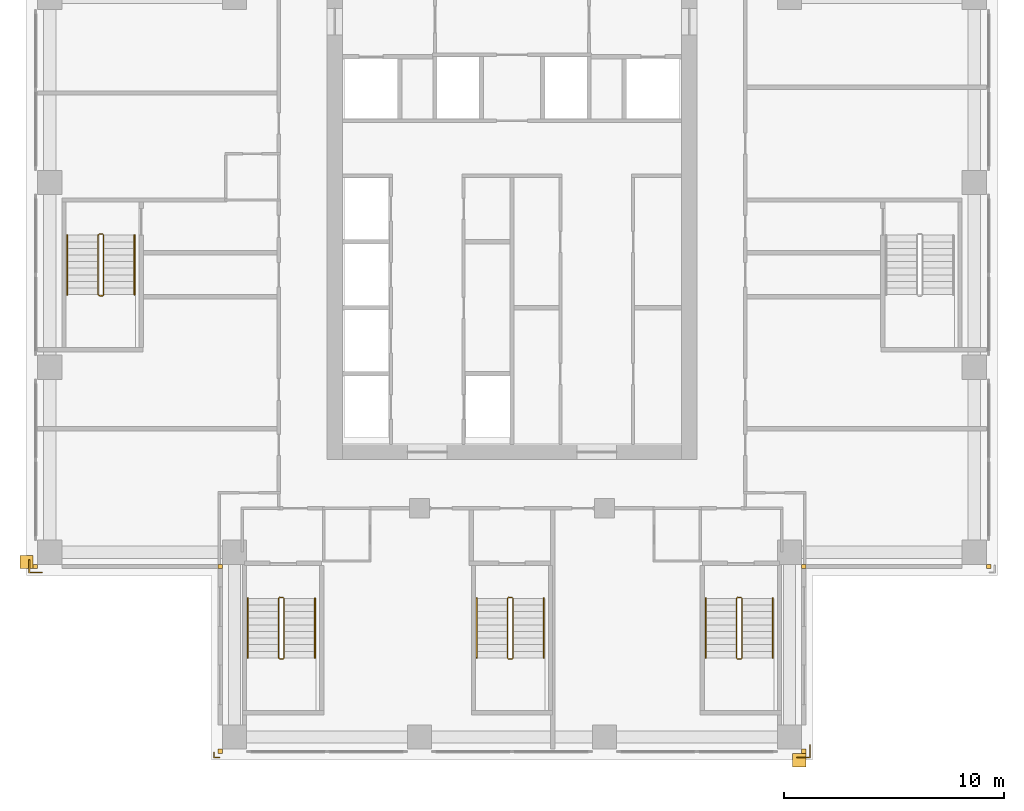
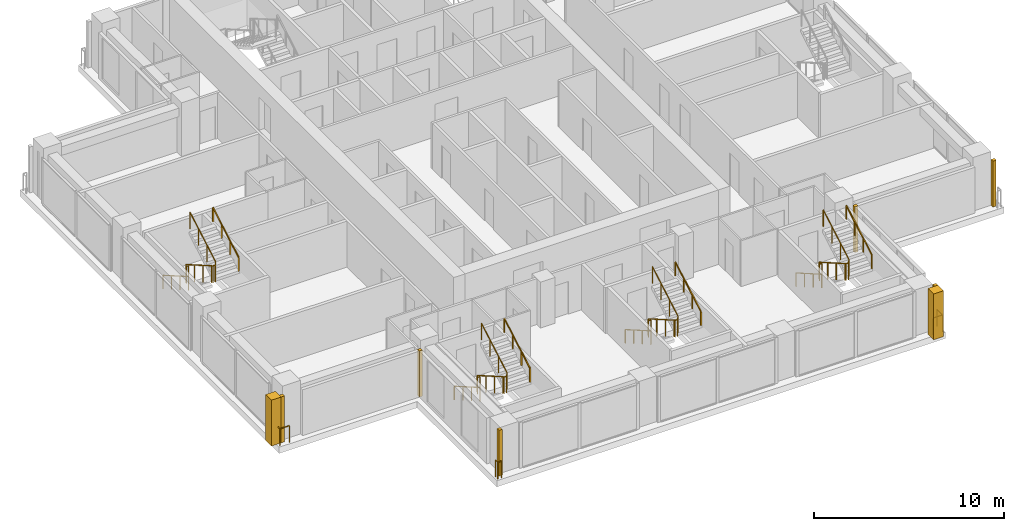
# One storey, part 14 of 16: 15 railings, 8 coverings.
"""IFC4 building model written with IfcOpenShell, lengths in metres."""

import ifcopenshell
import ifcopenshell.guid

model = None  # the IFC model being written
_history = None  # IfcOwnerHistory: only IFC2X3 demands one
_inside = {}  # id of a spatial element -> (the spatial element, [elements in it])
_under = {}  # id of a project, library or spatial element -> (it, [spatial elements below it])
_declared = {}  # id of a project -> (the project, [libraries it declares])
_typed = {}  # id of a type object -> (the type object, [elements of that type])
_made_of = {}  # id of a material, layer set ... -> (it, [elements and type objects made of it])


def new_model(schema):
    """Start an empty IFC model of exactly this schema.

    Asked for "IFC4X3", IfcOpenShell would pick the latest addendum, in which some entities
    have other attributes; the version numbers below select the first issue.
    IFC2X3 requires an IfcOwnerHistory on every rooted entity: one is made here for all.
    """
    global model, _history
    if schema == "IFC4X3":
        model = ifcopenshell.file(schema_version=(4, 3, 0, 0))
    else:
        model = ifcopenshell.file(schema=schema)
    _inside.clear()
    _under.clear()
    _declared.clear()
    _typed.clear()
    _made_of.clear()
    _history = None
    if model.schema == "IFC2X3":
        org = make("IfcOrganization", Name="unknown")
        user = make(
            "IfcPersonAndOrganization",
            ThePerson=make("IfcPerson", FamilyName="unknown"),
            TheOrganization=org,
        )
        app = make(
            "IfcApplication",
            ApplicationDeveloper=org,
            Version="unknown",
            ApplicationFullName="unknown",
            ApplicationIdentifier="unknown",
        )
        _history = make(
            "IfcOwnerHistory",
            OwningUser=user,
            OwningApplication=app,
            ChangeAction="ADDED",
            CreationDate=0,
        )
    return model


def make(cls, **values):
    """One entity of the class cls with the attributes given. An attribute that is None is left unset."""
    return model.create_entity(
        cls, **{name: value for name, value in values.items() if value is not None}
    )


def rooted(cls, **values):
    """An entity with a GlobalId (a new one), such as an element, a storey or a relation."""
    return make(cls, GlobalId=ifcopenshell.guid.new(), OwnerHistory=_history, **values)


def si_unit(unit_type, name, prefix=None):
    """IfcSIUnit, for example si_unit("LENGTHUNIT", "METRE", prefix="MILLI")."""
    return make("IfcSIUnit", UnitType=unit_type, Prefix=prefix, Name=name)


def assignment(units):
    """IfcUnitAssignment: the units of a project."""
    return None if units is None else make("IfcUnitAssignment", Units=units)


def point(xyz):
    """IfcCartesianPoint."""
    return None if xyz is None else make("IfcCartesianPoint", Coordinates=xyz)


def direction(xyz):
    """IfcDirection."""
    return None if xyz is None else make("IfcDirection", DirectionRatios=xyz)


def frame(location, z_axis=None, x_axis=None):
    """IfcAxis2Placement3D, a coordinate frame: its origin and axes. An axis left out is left unset."""
    return make(
        "IfcAxis2Placement3D",
        Location=point(location),
        Axis=direction(z_axis),
        RefDirection=direction(x_axis),
    )


def frame_2d(location, x_axis=None):
    """IfcAxis2Placement2D, a coordinate frame in the plane: its origin and x axis."""
    return make(
        "IfcAxis2Placement2D", Location=point(location), RefDirection=direction(x_axis)
    )


def origin():
    """The frame at (0, 0, 0) with its axes left unset."""
    return frame((0.0, 0.0, 0.0))


def origin_2d():
    """The frame at (0, 0) in the plane with its x axis left unset."""
    return frame_2d((0.0, 0.0))


def place(relative_to, where):
    """IfcLocalPlacement: puts the frame where relative to a parent placement (None: the world)."""
    return make(
        "IfcLocalPlacement", PlacementRelTo=relative_to, RelativePlacement=where
    )


def context(
    kind, dimensions, precision=None, world=None, true_north=None, identifier=None
):
    """IfcGeometricRepresentationContext, for example the 3D "Model" context."""
    return make(
        "IfcGeometricRepresentationContext",
        ContextIdentifier=identifier,
        ContextType=kind,
        CoordinateSpaceDimension=dimensions,
        Precision=precision,
        WorldCoordinateSystem=world,
        TrueNorth=true_north,
    )


def subcontext(parent, identifier, kind, view, scale=None):
    """IfcGeometricRepresentationSubContext, for example "Body" below "Model"."""
    return make(
        "IfcGeometricRepresentationSubContext",
        ContextIdentifier=identifier,
        ContextType=kind,
        ParentContext=parent,
        TargetScale=scale,
        TargetView=view,
    )


def project(units=None, contexts=None):
    """IfcProject with its units and contexts."""
    return rooted(
        "IfcProject",
        Name="project",
        RepresentationContexts=contexts,
        UnitsInContext=assignment(units),
    )


def spatial(cls, under=None, at=None, **own):
    """A site, building, storey or space (cls), placed at a placement, below another one or the project."""
    s = rooted(cls, ObjectPlacement=at, **own)
    if under is not None:
        _under.setdefault(under.id(), (under, []))[1].append(s)
    return s


def polyline(points):
    """IfcPolyline through the points."""
    return make("IfcPolyline", Points=[point(p) for p in points])


def profile(cls, at=None, kind="AREA", **sizes):
    """A parametric profile (cls). Its sizes go by their IFC names, for example OverallWidth=200.0."""
    return make(cls, ProfileType=kind, Position=at, **sizes)


def rectangle(**sizes):
    """IfcRectangleProfileDef."""
    return profile("IfcRectangleProfileDef", **sizes)


def outline(outer, holes=None, kind="AREA"):
    """IfcArbitraryClosedProfileDef: a profile drawn as a closed curve; with holes, ...WithVoids."""
    if holes is None:
        return make("IfcArbitraryClosedProfileDef", ProfileType=kind, OuterCurve=outer)
    return make(
        "IfcArbitraryProfileDefWithVoids",
        ProfileType=kind,
        OuterCurve=outer,
        InnerCurves=holes,
    )


def extrude(swept, where, along, depth):
    """IfcExtrudedAreaSolid: the profile swept, set in the frame where, extruded along a direction by depth."""
    return make(
        "IfcExtrudedAreaSolid",
        SweptArea=swept,
        Position=where,
        ExtrudedDirection=direction(along),
        Depth=depth,
    )


def shape(context_of_items, identifier, shape_type, items):
    """IfcShapeRepresentation: the items that make up one representation, for example the "Body"."""
    return make(
        "IfcShapeRepresentation",
        ContextOfItems=context_of_items,
        RepresentationIdentifier=identifier,
        RepresentationType=shape_type,
        Items=items,
    )


def material(Name=None, Category=None):
    """IfcMaterial."""
    return make("IfcMaterial", Name=Name, Category=Category)


def made_of(thing, what):
    """Note that an element or type object is made of a material, layer set ...; save() writes the relation."""
    if what is not None:
        _made_of.setdefault(what.id(), (what, []))[1].append(thing)
    return thing


def type_object(cls, material=None, **own):
    """A type object (cls), such as IfcWallType, which elements share."""
    return made_of(rooted(cls, **own), material)


def element(
    cls,
    number,
    at=None,
    inside=None,
    cuts=None,
    type_object=None,
    material=None,
    context=None,
    identifier="Body",
    shape_type=None,
    held_by="IfcProductDefinitionShape",
    body=None,
    shapes=None,
    **own,
):
    """One element of the class cls, such as IfcWall. Its Tag is "e" and its number.

    at: its placement. inside: the storey or other place that contains it. cuts: it is an
    opening in that element (IfcRelVoidsElement). A single representation is given by context,
    identifier, shape_type and body (its items); several are given by shapes. held_by: the class
    of the entity that holds the representations. save() writes the other relations.
    """
    e = rooted(cls, Tag="e%d" % number, ObjectPlacement=at, **own)
    if body is not None:
        shapes = [shape(context, identifier, shape_type, body)]
    if shapes is not None:
        e.Representation = make(held_by, Representations=shapes)
    if inside is not None:
        _inside.setdefault(inside.id(), (inside, []))[1].append(e)
    if cuts is not None:
        rooted(
            "IfcRelVoidsElement", RelatingBuildingElement=cuts, RelatedOpeningElement=e
        )
    if type_object is not None:
        _typed.setdefault(type_object.id(), (type_object, []))[1].append(e)
    return made_of(e, material)


def aggregate(whole, parts):
    """IfcRelAggregates: a whole, such as a stair, and the parts it consists of."""
    return rooted("IfcRelAggregates", RelatingObject=whole, RelatedObjects=parts)


def save(model, path):
    """Write the relations noted so far, then the file.

    IfcRelAggregates (storeys below a building ...), IfcRelContainedInSpatialStructure (elements
    in a storey), IfcRelDefinesByType, IfcRelAssociatesMaterial and IfcRelDeclares: one each for
    every whole, place, type object, material and project.
    """
    for whole, parts in _under.values():
        aggregate(whole, parts)
    for where, things in _inside.values():
        rooted(
            "IfcRelContainedInSpatialStructure",
            RelatedElements=things,
            RelatingStructure=where,
        )
    for kind, things in _typed.values():
        rooted("IfcRelDefinesByType", RelatedObjects=things, RelatingType=kind)
    for what, things in _made_of.values():
        rooted("IfcRelAssociatesMaterial", RelatedObjects=things, RelatingMaterial=what)
    for by, libraries in _declared.values():
        rooted("IfcRelDeclares", RelatingContext=by, RelatedDefinitions=libraries)
    model.write(path)


model = new_model("IFC4")

# Units and contexts
model_context = context("Model", 3, precision=1e-05, world=origin(), true_north=direction((0.0, 1.0)))
body_context = subcontext(model_context, "Body", "Model", "MODEL_VIEW")
ifc_project = project(units=[si_unit("LENGTHUNIT", "METRE"), si_unit("AREAUNIT", "SQUARE_METRE"), si_unit("VOLUMEUNIT", "CUBIC_METRE"), si_unit("PLANEANGLEUNIT", "RADIAN"), si_unit("MASSUNIT", "GRAM", prefix="KILO")], contexts=[model_context])

# Site, building, storey
site_placement = place(None, origin())
site = spatial("IfcSite", under=ifc_project, at=site_placement, CompositionType="ELEMENT")
building_placement = place(site_placement, origin())
building = spatial("IfcBuilding", under=site, at=building_placement, Name="Vermilion Ogive Tower", CompositionType="ELEMENT")
storey_placement = place(building_placement, frame((0.0, 0.0, 167.60009765625)))
storey = spatial("IfcBuildingStorey", under=building, at=storey_placement, Name="L43", CompositionType="ELEMENT", Elevation=167.60009765625)

# Railings
ifc_material_1 = material(Name="Stainless steel", Category="steel")
railing_type_1 = type_object("IfcRailingType", Name="Slab edge guard SG1", PredefinedType="GUARDRAIL", material=ifc_material_1)
railing_1_placement = place(storey_placement, frame((-13.300048828125, -21.929931640625, 0.0)))
element("IfcRailing", 1, at=railing_1_placement, inside=storey, type_object=railing_type_1, Name="L43 slab corner guard", PredefinedType="GUARDRAIL", context=body_context, shape_type="SweptSolid", body=[
    extrude(rectangle(XDim=0.050048828125, YDim=0.050048828125, at=origin_2d()), frame((0.0, 0.0, 1.0751953125), z_axis=(-1.0, 0.0, 0.0), x_axis=(0.0, -1.0, 0.0)), (0.0, 0.0, 1.0), 0.22998046875),
    extrude(rectangle(XDim=0.050048828125, YDim=0.050048828125, at=origin_2d()), frame((-0.22998046875, 0.0, 1.0751953125), z_axis=(0.0, 1.0, 0.0), x_axis=(-1.0, 0.0, 0.0)), (0.0, 0.0, 1.0), 0.22998046875),
    extrude(rectangle(XDim=0.050048828125, YDim=0.050048828125, at=origin_2d()), origin(), (0.0, 0.0, 1.0), 1.050048828125),
    extrude(rectangle(XDim=0.050048828125, YDim=0.050048828125, at=origin_2d()), frame((-0.22998046875, 0.0, 0.0)), (0.0, 0.0, 1.0), 1.050048828125),
    extrude(rectangle(XDim=0.050048828125, YDim=0.050048828125, at=origin_2d()), frame((-0.22998046875, 0.22998046875, 0.0)), (0.0, 0.0, 1.0), 1.050048828125),
])
railing_2_placement = place(storey_placement, frame((12.949951171875, -21.929931640625, 0.0)))
element("IfcRailing", 2, at=railing_2_placement, inside=storey, type_object=railing_type_1, Name="L43 slab corner guard", PredefinedType="GUARDRAIL", context=body_context, shape_type="SweptSolid", body=[
    extrude(rectangle(XDim=0.050048828125, YDim=0.050048828125, at=origin_2d()), frame((0.0, 0.0, 1.0751953125), z_axis=(1.0, 0.0, 0.0), x_axis=(0.0, 1.0, 0.0)), (0.0, 0.0, 1.0), 0.580078125),
    extrude(rectangle(XDim=0.050048828125, YDim=0.050048828125, at=origin_2d()), frame((0.580078125, 0.0, 1.0751953125), z_axis=(0.0, 1.0, 0.0), x_axis=(-1.0, 0.0, 0.0)), (0.0, 0.0, 1.0), 0.579833984375),
    extrude(rectangle(XDim=0.050048828125, YDim=0.050048828125, at=origin_2d()), origin(), (0.0, 0.0, 1.0), 1.050048828125),
    extrude(rectangle(XDim=0.050048828125, YDim=0.050048828125, at=origin_2d()), frame((0.580078125, 0.0, 0.0)), (0.0, 0.0, 1.0), 1.050048828125),
    extrude(rectangle(XDim=0.050048828125, YDim=0.050048828125, at=origin_2d()), frame((0.580078125, 0.579833984375, 0.0)), (0.0, 0.0, 1.0), 1.050048828125),
])
railing_3_placement = place(storey_placement, frame((-21.929931640625, -12.949951171875, 0.0)))
element("IfcRailing", 3, at=railing_3_placement, inside=storey, type_object=railing_type_1, Name="L43 slab corner guard", PredefinedType="GUARDRAIL", context=body_context, shape_type="SweptSolid", body=[
    extrude(rectangle(XDim=0.050048828125, YDim=0.050048828125, at=origin_2d()), frame((0.0, 0.0, 1.0751953125), z_axis=(0.0, -1.0, 0.0), x_axis=(1.0, 0.0, 0.0)), (0.0, 0.0, 1.0), 0.580078125),
    extrude(rectangle(XDim=0.050048828125, YDim=0.050048828125, at=origin_2d()), frame((0.0, -0.580078125, 1.0751953125), z_axis=(1.0, 0.0, 0.0), x_axis=(0.0, 1.0, 0.0)), (0.0, 0.0, 1.0), 0.579833984375),
    extrude(rectangle(XDim=0.050048828125, YDim=0.050048828125, at=origin_2d()), origin(), (0.0, 0.0, 1.0), 1.050048828125),
    extrude(rectangle(XDim=0.050048828125, YDim=0.050048828125, at=origin_2d()), frame((0.0, -0.580078125, 0.0)), (0.0, 0.0, 1.0), 1.050048828125),
    extrude(rectangle(XDim=0.050048828125, YDim=0.050048828125, at=origin_2d()), frame((0.579833984375, -0.580078125, 0.0)), (0.0, 0.0, 1.0), 1.050048828125),
])
ifc_material_2 = material(Name="Steel S355 painted", Category="steel")
railing_type_2 = type_object("IfcRailingType", Name="Stair guard 1100", PredefinedType="GUARDRAIL", material=ifc_material_2)
railing_4_placement = place(storey_placement, frame((-10.39990234375, -14.64990234375, 0.0)))
element("IfcRailing", 4, at=railing_4_placement, inside=storey, type_object=railing_type_2, Name="L43 ST3 stair guard 4", PredefinedType="GUARDRAIL", context=body_context, shape_type="SweptSolid", body=[
    extrude(rectangle(XDim=0.048095703125, YDim=0.048095703125, at=origin_2d()), frame((0.0, 0.0, 1.076171875), z_axis=(-1.0, 0.0, 0.0), x_axis=(0.0, -1.0, 0.0)), (0.0, 0.0, 1.0), 0.150146484375),
    extrude(rectangle(XDim=0.048095703125, YDim=0.048095703125, at=origin_2d()), frame((-0.150146484375, 0.0, 1.076171875), z_axis=(-0.268603158521, -0.268603158521, 0.925043072762), x_axis=(0.707106781187, -0.707106781187, 0.0)), (0.0, 0.0, 1.0), 0.186279296875),
    extrude(rectangle(XDim=0.048095703125, YDim=0.048095703125, at=origin_2d()), frame((-0.2001953125, -0.050048828125, 1.24853515625), z_axis=(0.0, -0.866903762492, 0.498475542607), x_axis=(1.0, 0.0, 0.0)), (0.0, 0.0, 1.0), 3.114501953125),
    extrude(rectangle(XDim=0.048095703125, YDim=0.048095703125, at=origin_2d()), frame((-0.2001953125, -2.75, 2.80078125), z_axis=(0.707106781187, -0.707106781187, 0.0), x_axis=(0.707106781187, 0.707106781187, 0.0)), (0.0, 0.0, 1.0), 0.07080078125),
    extrude(rectangle(XDim=0.048095703125, YDim=0.048095703125, at=origin_2d()), frame((-0.150146484375, -2.800048828125, 2.80078125), z_axis=(1.0, 0.0, 0.0), x_axis=(0.0, 1.0, 0.0)), (0.0, 0.0, 1.0), 0.150146484375),
    extrude(rectangle(XDim=0.048095703125, YDim=0.048095703125, at=origin_2d()), frame((0.0, -2.800048828125, 2.80078125), z_axis=(0.267062837333, 0.268371968888, 0.925556009775), x_axis=(-0.708833529934, 0.705375805398, 0.0)), (0.0, 0.0, 1.0), 0.1865234375),
    extrude(rectangle(XDim=0.048095703125, YDim=0.048095703125, at=origin_2d()), frame((0.0498046875, -2.75, 2.9736328125), z_axis=(0.0, 0.866903762492, 0.498475542607), x_axis=(-1.0, 0.0, 0.0)), (0.0, 0.0, 1.0), 3.114501953125),
    extrude(rectangle(XDim=0.0419921875, YDim=0.0419921875, at=origin_2d()), origin(), (0.0, 0.0, 1.0), 1.052001953125),
    extrude(rectangle(XDim=0.0419921875, YDim=0.0419921875, at=origin_2d()), frame((-0.150146484375, 0.0, 0.0)), (0.0, 0.0, 1.0), 1.052001953125),
    extrude(rectangle(XDim=0.0419921875, YDim=0.0419921875, at=origin_2d()), frame((-0.2001953125, -0.050048828125, 0.17236328125)), (0.0, 0.0, 1.0), 1.052001953125),
    extrude(rectangle(XDim=0.0419921875, YDim=0.0419921875, at=origin_2d()), frame((-0.2001953125, -0.949951171875, 0.68994140625)), (0.0, 0.0, 1.0), 1.052001953125),
    extrude(rectangle(XDim=0.0419921875, YDim=0.0419921875, at=origin_2d()), frame((-0.2001953125, -1.85009765625, 1.207275390625)), (0.0, 0.0, 1.0), 1.052001953125),
    extrude(rectangle(XDim=0.0419921875, YDim=0.0419921875, at=origin_2d()), frame((-0.2001953125, -2.75, 1.724853515625)), (0.0, 0.0, 1.0), 1.052001953125),
    extrude(rectangle(XDim=0.0419921875, YDim=0.0419921875, at=origin_2d()), frame((-0.150146484375, -2.800048828125, 1.724853515625)), (0.0, 0.0, 1.0), 1.052001953125),
    extrude(rectangle(XDim=0.0419921875, YDim=0.0419921875, at=origin_2d()), frame((0.0, -2.800048828125, 1.724853515625)), (0.0, 0.0, 1.0), 1.052001953125),
    extrude(rectangle(XDim=0.0419921875, YDim=0.0419921875, at=origin_2d()), frame((0.0498046875, -2.75, 1.8974609375)), (0.0, 0.0, 1.0), 1.052001953125),
    extrude(rectangle(XDim=0.0419921875, YDim=0.0419921875, at=origin_2d()), frame((0.0498046875, -1.85009765625, 2.4150390625)), (0.0, 0.0, 1.0), 1.052001953125),
    extrude(rectangle(XDim=0.0419921875, YDim=0.0419921875, at=origin_2d()), frame((0.0498046875, -0.949951171875, 2.932373046875)), (0.0, 0.0, 1.0), 1.052001953125),
    extrude(rectangle(XDim=0.0419921875, YDim=0.0419921875, at=origin_2d()), frame((0.0498046875, -0.050048828125, 3.449951171875)), (0.0, 0.0, 1.0), 1.052001953125),
])
railing_5_placement = place(storey_placement, frame((0.0, -14.64990234375, 0.0)))
element("IfcRailing", 5, at=railing_5_placement, inside=storey, type_object=railing_type_2, Name="L43 ST4 stair guard 4", PredefinedType="GUARDRAIL", context=body_context, shape_type="SweptSolid", body=[
    extrude(rectangle(XDim=0.048095703125, YDim=0.048095703125, at=origin_2d()), frame((0.0, 0.0, 1.076171875), z_axis=(-1.0, 0.0, 0.0), x_axis=(0.0, -1.0, 0.0)), (0.0, 0.0, 1.0), 0.14990234375),
    extrude(rectangle(XDim=0.048095703125, YDim=0.048095703125, at=origin_2d()), frame((-0.14990234375, 0.0, 1.076171875), z_axis=(-0.268603158521, -0.268603158521, 0.925043072762), x_axis=(0.707106781187, -0.707106781187, 0.0)), (0.0, 0.0, 1.0), 0.186279296875),
    extrude(rectangle(XDim=0.048095703125, YDim=0.048095703125, at=origin_2d()), frame((-0.199951171875, -0.050048828125, 1.24853515625), z_axis=(0.0, -0.866903762492, 0.498475542607), x_axis=(1.0, 0.0, 0.0)), (0.0, 0.0, 1.0), 3.114501953125),
    extrude(rectangle(XDim=0.048095703125, YDim=0.048095703125, at=origin_2d()), frame((-0.199951171875, -2.75, 2.80078125), z_axis=(0.707106781187, -0.707106781187, 0.0), x_axis=(0.707106781187, 0.707106781187, 0.0)), (0.0, 0.0, 1.0), 0.07080078125),
    extrude(rectangle(XDim=0.048095703125, YDim=0.048095703125, at=origin_2d()), frame((-0.14990234375, -2.800048828125, 2.80078125), z_axis=(1.0, 0.0, 0.0), x_axis=(0.0, 1.0, 0.0)), (0.0, 0.0, 1.0), 0.14990234375),
    extrude(rectangle(XDim=0.048095703125, YDim=0.048095703125, at=origin_2d()), frame((0.0, -2.800048828125, 2.80078125), z_axis=(0.268277960024, 0.268277960024, 0.925231793839), x_axis=(-0.707106781187, 0.707106781187, 0.0)), (0.0, 0.0, 1.0), 0.1865234375),
    extrude(rectangle(XDim=0.048095703125, YDim=0.048095703125, at=origin_2d()), frame((0.050048828125, -2.75, 2.9736328125), z_axis=(0.0, 0.866903762492, 0.498475542607), x_axis=(-1.0, 0.0, 0.0)), (0.0, 0.0, 1.0), 3.114501953125),
    extrude(rectangle(XDim=0.0419921875, YDim=0.0419921875, at=origin_2d()), origin(), (0.0, 0.0, 1.0), 1.052001953125),
    extrude(rectangle(XDim=0.0419921875, YDim=0.0419921875, at=origin_2d()), frame((-0.14990234375, 0.0, 0.0)), (0.0, 0.0, 1.0), 1.052001953125),
    extrude(rectangle(XDim=0.0419921875, YDim=0.0419921875, at=origin_2d()), frame((-0.199951171875, -0.050048828125, 0.17236328125)), (0.0, 0.0, 1.0), 1.052001953125),
    extrude(rectangle(XDim=0.0419921875, YDim=0.0419921875, at=origin_2d()), frame((-0.199951171875, -0.949951171875, 0.68994140625)), (0.0, 0.0, 1.0), 1.052001953125),
    extrude(rectangle(XDim=0.0419921875, YDim=0.0419921875, at=origin_2d()), frame((-0.199951171875, -1.85009765625, 1.207275390625)), (0.0, 0.0, 1.0), 1.052001953125),
    extrude(rectangle(XDim=0.0419921875, YDim=0.0419921875, at=origin_2d()), frame((-0.199951171875, -2.75, 1.724853515625)), (0.0, 0.0, 1.0), 1.052001953125),
    extrude(rectangle(XDim=0.0419921875, YDim=0.0419921875, at=origin_2d()), frame((-0.14990234375, -2.800048828125, 1.724853515625)), (0.0, 0.0, 1.0), 1.052001953125),
    extrude(rectangle(XDim=0.0419921875, YDim=0.0419921875, at=origin_2d()), frame((0.0, -2.800048828125, 1.724853515625)), (0.0, 0.0, 1.0), 1.052001953125),
    extrude(rectangle(XDim=0.0419921875, YDim=0.0419921875, at=origin_2d()), frame((0.050048828125, -2.75, 1.8974609375)), (0.0, 0.0, 1.0), 1.052001953125),
    extrude(rectangle(XDim=0.0419921875, YDim=0.0419921875, at=origin_2d()), frame((0.050048828125, -1.85009765625, 2.4150390625)), (0.0, 0.0, 1.0), 1.052001953125),
    extrude(rectangle(XDim=0.0419921875, YDim=0.0419921875, at=origin_2d()), frame((0.050048828125, -0.949951171875, 2.932373046875)), (0.0, 0.0, 1.0), 1.052001953125),
    extrude(rectangle(XDim=0.0419921875, YDim=0.0419921875, at=origin_2d()), frame((0.050048828125, -0.050048828125, 3.449951171875)), (0.0, 0.0, 1.0), 1.052001953125),
])
railing_6_placement = place(storey_placement, frame((10.39990234375, -14.64990234375, 0.0)))
element("IfcRailing", 6, at=railing_6_placement, inside=storey, type_object=railing_type_2, Name="L43 ST5 stair guard 4", PredefinedType="GUARDRAIL", context=body_context, shape_type="SweptSolid", body=[
    extrude(rectangle(XDim=0.048095703125, YDim=0.048095703125, at=origin_2d()), frame((0.0, 0.0, 1.076171875), z_axis=(-1.0, 0.0, 0.0), x_axis=(0.0, -1.0, 0.0)), (0.0, 0.0, 1.0), 0.14990234375),
    extrude(rectangle(XDim=0.048095703125, YDim=0.048095703125, at=origin_2d()), frame((-0.14990234375, 0.0, 1.076171875), z_axis=(-0.268603158521, -0.268603158521, 0.925043072762), x_axis=(0.707106781187, -0.707106781187, 0.0)), (0.0, 0.0, 1.0), 0.186279296875),
    extrude(rectangle(XDim=0.048095703125, YDim=0.048095703125, at=origin_2d()), frame((-0.199951171875, -0.050048828125, 1.24853515625), z_axis=(0.0, -0.866903762492, 0.498475542607), x_axis=(1.0, 0.0, 0.0)), (0.0, 0.0, 1.0), 3.114501953125),
    extrude(rectangle(XDim=0.048095703125, YDim=0.048095703125, at=origin_2d()), frame((-0.199951171875, -2.75, 2.80078125), z_axis=(0.707106781187, -0.707106781187, 0.0), x_axis=(0.707106781187, 0.707106781187, 0.0)), (0.0, 0.0, 1.0), 0.07080078125),
    extrude(rectangle(XDim=0.048095703125, YDim=0.048095703125, at=origin_2d()), frame((-0.14990234375, -2.800048828125, 2.80078125), z_axis=(1.0, 0.0, 0.0), x_axis=(0.0, 1.0, 0.0)), (0.0, 0.0, 1.0), 0.14990234375),
    extrude(rectangle(XDim=0.048095703125, YDim=0.048095703125, at=origin_2d()), frame((0.0, -2.800048828125, 2.80078125), z_axis=(0.268277960024, 0.268277960024, 0.925231793839), x_axis=(-0.707106781187, 0.707106781187, 0.0)), (0.0, 0.0, 1.0), 0.1865234375),
    extrude(rectangle(XDim=0.048095703125, YDim=0.048095703125, at=origin_2d()), frame((0.050048828125, -2.75, 2.9736328125), z_axis=(0.0, 0.866903762492, 0.498475542607), x_axis=(-1.0, 0.0, 0.0)), (0.0, 0.0, 1.0), 3.114501953125),
    extrude(rectangle(XDim=0.0419921875, YDim=0.0419921875, at=origin_2d()), origin(), (0.0, 0.0, 1.0), 1.052001953125),
    extrude(rectangle(XDim=0.0419921875, YDim=0.0419921875, at=origin_2d()), frame((-0.14990234375, 0.0, 0.0)), (0.0, 0.0, 1.0), 1.052001953125),
    extrude(rectangle(XDim=0.0419921875, YDim=0.0419921875, at=origin_2d()), frame((-0.199951171875, -0.050048828125, 0.17236328125)), (0.0, 0.0, 1.0), 1.052001953125),
    extrude(rectangle(XDim=0.0419921875, YDim=0.0419921875, at=origin_2d()), frame((-0.199951171875, -0.949951171875, 0.68994140625)), (0.0, 0.0, 1.0), 1.052001953125),
    extrude(rectangle(XDim=0.0419921875, YDim=0.0419921875, at=origin_2d()), frame((-0.199951171875, -1.85009765625, 1.207275390625)), (0.0, 0.0, 1.0), 1.052001953125),
    extrude(rectangle(XDim=0.0419921875, YDim=0.0419921875, at=origin_2d()), frame((-0.199951171875, -2.75, 1.724853515625)), (0.0, 0.0, 1.0), 1.052001953125),
    extrude(rectangle(XDim=0.0419921875, YDim=0.0419921875, at=origin_2d()), frame((-0.14990234375, -2.800048828125, 1.724853515625)), (0.0, 0.0, 1.0), 1.052001953125),
    extrude(rectangle(XDim=0.0419921875, YDim=0.0419921875, at=origin_2d()), frame((0.0, -2.800048828125, 1.724853515625)), (0.0, 0.0, 1.0), 1.052001953125),
    extrude(rectangle(XDim=0.0419921875, YDim=0.0419921875, at=origin_2d()), frame((0.050048828125, -2.75, 1.8974609375)), (0.0, 0.0, 1.0), 1.052001953125),
    extrude(rectangle(XDim=0.0419921875, YDim=0.0419921875, at=origin_2d()), frame((0.050048828125, -1.85009765625, 2.4150390625)), (0.0, 0.0, 1.0), 1.052001953125),
    extrude(rectangle(XDim=0.0419921875, YDim=0.0419921875, at=origin_2d()), frame((0.050048828125, -0.949951171875, 2.932373046875)), (0.0, 0.0, 1.0), 1.052001953125),
    extrude(rectangle(XDim=0.0419921875, YDim=0.0419921875, at=origin_2d()), frame((0.050048828125, -0.050048828125, 3.449951171875)), (0.0, 0.0, 1.0), 1.052001953125),
])
railing_7_placement = place(storey_placement, frame((-18.60009765625, 1.85009765625, 0.0)))
element("IfcRailing", 7, at=railing_7_placement, inside=storey, type_object=railing_type_2, Name="L43 ST9 stair guard 4", PredefinedType="GUARDRAIL", context=body_context, shape_type="SweptSolid", body=[
    extrude(rectangle(XDim=0.048095703125, YDim=0.048095703125, at=origin_2d()), frame((0.0, 0.0, 1.076171875), z_axis=(-1.0, 0.0, 0.0), x_axis=(0.0, -1.0, 0.0)), (0.0, 0.0, 1.0), 0.14990234375),
    extrude(rectangle(XDim=0.048095703125, YDim=0.048095703125, at=origin_2d()), frame((-0.14990234375, 0.0, 1.076171875), z_axis=(-0.268603158521, -0.268603158521, 0.925043072762), x_axis=(0.707106781187, -0.707106781187, 0.0)), (0.0, 0.0, 1.0), 0.186279296875),
    extrude(rectangle(XDim=0.048095703125, YDim=0.048095703125, at=origin_2d()), frame((-0.199951171875, -0.050048828125, 1.24853515625), z_axis=(0.0, -0.866903762492, 0.498475542607), x_axis=(1.0, 0.0, 0.0)), (0.0, 0.0, 1.0), 3.114501953125),
    extrude(rectangle(XDim=0.048095703125, YDim=0.048095703125, at=origin_2d()), frame((-0.199951171875, -2.75, 2.80078125), z_axis=(0.707106781187, -0.707106781187, 0.0), x_axis=(0.707106781187, 0.707106781187, 0.0)), (0.0, 0.0, 1.0), 0.07080078125),
    extrude(rectangle(XDim=0.048095703125, YDim=0.048095703125, at=origin_2d()), frame((-0.14990234375, -2.800048828125, 2.80078125), z_axis=(1.0, 0.0, 0.0), x_axis=(0.0, 1.0, 0.0)), (0.0, 0.0, 1.0), 0.14990234375),
    extrude(rectangle(XDim=0.048095703125, YDim=0.048095703125, at=origin_2d()), frame((0.0, -2.800048828125, 2.80078125), z_axis=(0.268277960024, 0.268277960024, 0.925231793839), x_axis=(-0.707106781187, 0.707106781187, 0.0)), (0.0, 0.0, 1.0), 0.1865234375),
    extrude(rectangle(XDim=0.048095703125, YDim=0.048095703125, at=origin_2d()), frame((0.050048828125, -2.75, 2.9736328125), z_axis=(0.0, 0.866903762492, 0.498475542607), x_axis=(-1.0, 0.0, 0.0)), (0.0, 0.0, 1.0), 3.114501953125),
    extrude(rectangle(XDim=0.0419921875, YDim=0.0419921875, at=origin_2d()), origin(), (0.0, 0.0, 1.0), 1.052001953125),
    extrude(rectangle(XDim=0.0419921875, YDim=0.0419921875, at=origin_2d()), frame((-0.14990234375, 0.0, 0.0)), (0.0, 0.0, 1.0), 1.052001953125),
    extrude(rectangle(XDim=0.0419921875, YDim=0.0419921875, at=origin_2d()), frame((-0.199951171875, -0.050048828125, 0.17236328125)), (0.0, 0.0, 1.0), 1.052001953125),
    extrude(rectangle(XDim=0.0419921875, YDim=0.0419921875, at=origin_2d()), frame((-0.199951171875, -0.949951171875, 0.68994140625)), (0.0, 0.0, 1.0), 1.052001953125),
    extrude(rectangle(XDim=0.0419921875, YDim=0.0419921875, at=origin_2d()), frame((-0.199951171875, -1.85009765625, 1.207275390625)), (0.0, 0.0, 1.0), 1.052001953125),
    extrude(rectangle(XDim=0.0419921875, YDim=0.0419921875, at=origin_2d()), frame((-0.199951171875, -2.75, 1.724853515625)), (0.0, 0.0, 1.0), 1.052001953125),
    extrude(rectangle(XDim=0.0419921875, YDim=0.0419921875, at=origin_2d()), frame((-0.14990234375, -2.800048828125, 1.724853515625)), (0.0, 0.0, 1.0), 1.052001953125),
    extrude(rectangle(XDim=0.0419921875, YDim=0.0419921875, at=origin_2d()), frame((0.0, -2.800048828125, 1.724853515625)), (0.0, 0.0, 1.0), 1.052001953125),
    extrude(rectangle(XDim=0.0419921875, YDim=0.0419921875, at=origin_2d()), frame((0.050048828125, -2.75, 1.8974609375)), (0.0, 0.0, 1.0), 1.052001953125),
    extrude(rectangle(XDim=0.0419921875, YDim=0.0419921875, at=origin_2d()), frame((0.050048828125, -1.85009765625, 2.4150390625)), (0.0, 0.0, 1.0), 1.052001953125),
    extrude(rectangle(XDim=0.0419921875, YDim=0.0419921875, at=origin_2d()), frame((0.050048828125, -0.949951171875, 2.932373046875)), (0.0, 0.0, 1.0), 1.052001953125),
    extrude(rectangle(XDim=0.0419921875, YDim=0.0419921875, at=origin_2d()), frame((0.050048828125, -0.050048828125, 3.449951171875)), (0.0, 0.0, 1.0), 1.052001953125),
])
ifc_material_3 = material(Name="Stainless steel", Category="steel")
railing_type_3 = type_object("IfcRailingType", Name="Stair handrail 900", PredefinedType="HANDRAIL", material=ifc_material_3)
railing_8_placement = place(storey_placement, frame((-12.0, -14.699951171875, 0.17236328125)))
element("IfcRailing", 8, at=railing_8_placement, inside=storey, type_object=railing_type_3, Name="L43 ST3 stair handrail 1", PredefinedType="HANDRAIL", context=body_context, shape_type="SweptSolid", body=[
    extrude(rectangle(XDim=0.048095703125, YDim=0.048095703125, at=origin_2d()), frame((0.0, 0.0, 0.8759765625), z_axis=(0.0, -0.866903762492, 0.498475542607), x_axis=(1.0, 0.0, 0.0)), (0.0, 0.0, 1.0), 3.114501953125),
    extrude(rectangle(XDim=0.0419921875, YDim=0.0419921875, at=origin_2d()), origin(), (0.0, 0.0, 1.0), 0.851806640625),
    extrude(rectangle(XDim=0.0419921875, YDim=0.0419921875, at=origin_2d()), frame((0.0, -0.89990234375, 0.517578125)), (0.0, 0.0, 1.0), 0.851806640625),
    extrude(rectangle(XDim=0.0419921875, YDim=0.0419921875, at=origin_2d()), frame((0.0, -1.800048828125, 1.034912109375)), (0.0, 0.0, 1.0), 0.851806640625),
    extrude(rectangle(XDim=0.0419921875, YDim=0.0419921875, at=origin_2d()), frame((0.0, -2.699951171875, 1.552490234375)), (0.0, 0.0, 1.0), 0.851806640625),
])
railing_9_placement = place(storey_placement, frame((-8.949951171875, -17.39990234375, 1.8974609375)))
element("IfcRailing", 9, at=railing_9_placement, inside=storey, type_object=railing_type_3, Name="L43 ST3 stair handrail 2", PredefinedType="HANDRAIL", context=body_context, shape_type="SweptSolid", body=[
    extrude(rectangle(XDim=0.048095703125, YDim=0.048095703125, at=origin_2d()), frame((0.0, 0.0, 0.8759765625), z_axis=(0.0, 0.866903762492, 0.498475542607), x_axis=(-1.0, 0.0, 0.0)), (0.0, 0.0, 1.0), 3.114501953125),
    extrude(rectangle(XDim=0.0419921875, YDim=0.0419921875, at=origin_2d()), origin(), (0.0, 0.0, 1.0), 0.851806640625),
    extrude(rectangle(XDim=0.0419921875, YDim=0.0419921875, at=origin_2d()), frame((0.0, 0.89990234375, 0.517578125)), (0.0, 0.0, 1.0), 0.851806640625),
    extrude(rectangle(XDim=0.0419921875, YDim=0.0419921875, at=origin_2d()), frame((0.0, 1.800048828125, 1.034912109375)), (0.0, 0.0, 1.0), 0.851806640625),
    extrude(rectangle(XDim=0.0419921875, YDim=0.0419921875, at=origin_2d()), frame((0.0, 2.699951171875, 1.552490234375)), (0.0, 0.0, 1.0), 0.851806640625),
])
railing_10_placement = place(storey_placement, frame((-1.60009765625, -14.699951171875, 0.17236328125)))
element("IfcRailing", 10, at=railing_10_placement, inside=storey, type_object=railing_type_3, Name="L43 ST4 stair handrail 1", PredefinedType="HANDRAIL", context=body_context, shape_type="SweptSolid", body=[
    extrude(rectangle(XDim=0.048095703125, YDim=0.048095703125, at=origin_2d()), frame((0.0, 0.0, 0.8759765625), z_axis=(0.0, -0.866903762492, 0.498475542607), x_axis=(1.0, 0.0, 0.0)), (0.0, 0.0, 1.0), 3.114501953125),
    extrude(rectangle(XDim=0.0419921875, YDim=0.0419921875, at=origin_2d()), origin(), (0.0, 0.0, 1.0), 0.851806640625),
    extrude(rectangle(XDim=0.0419921875, YDim=0.0419921875, at=origin_2d()), frame((0.0, -0.89990234375, 0.517578125)), (0.0, 0.0, 1.0), 0.851806640625),
    extrude(rectangle(XDim=0.0419921875, YDim=0.0419921875, at=origin_2d()), frame((0.0, -1.800048828125, 1.034912109375)), (0.0, 0.0, 1.0), 0.851806640625),
    extrude(rectangle(XDim=0.0419921875, YDim=0.0419921875, at=origin_2d()), frame((0.0, -2.699951171875, 1.552490234375)), (0.0, 0.0, 1.0), 0.851806640625),
])
railing_11_placement = place(storey_placement, frame((1.449951171875, -17.39990234375, 1.8974609375)))
element("IfcRailing", 11, at=railing_11_placement, inside=storey, type_object=railing_type_3, Name="L43 ST4 stair handrail 2", PredefinedType="HANDRAIL", context=body_context, shape_type="SweptSolid", body=[
    extrude(rectangle(XDim=0.048095703125, YDim=0.048095703125, at=origin_2d()), frame((0.0, 0.0, 0.8759765625), z_axis=(0.0, 0.866903762492, 0.498475542607), x_axis=(-1.0, 0.0, 0.0)), (0.0, 0.0, 1.0), 3.114501953125),
    extrude(rectangle(XDim=0.0419921875, YDim=0.0419921875, at=origin_2d()), origin(), (0.0, 0.0, 1.0), 0.851806640625),
    extrude(rectangle(XDim=0.0419921875, YDim=0.0419921875, at=origin_2d()), frame((0.0, 0.89990234375, 0.517578125)), (0.0, 0.0, 1.0), 0.851806640625),
    extrude(rectangle(XDim=0.0419921875, YDim=0.0419921875, at=origin_2d()), frame((0.0, 1.800048828125, 1.034912109375)), (0.0, 0.0, 1.0), 0.851806640625),
    extrude(rectangle(XDim=0.0419921875, YDim=0.0419921875, at=origin_2d()), frame((0.0, 2.699951171875, 1.552490234375)), (0.0, 0.0, 1.0), 0.851806640625),
])
railing_12_placement = place(storey_placement, frame((8.800048828125, -14.699951171875, 0.17236328125)))
element("IfcRailing", 12, at=railing_12_placement, inside=storey, type_object=railing_type_3, Name="L43 ST5 stair handrail 1", PredefinedType="HANDRAIL", context=body_context, shape_type="SweptSolid", body=[
    extrude(rectangle(XDim=0.048095703125, YDim=0.048095703125, at=origin_2d()), frame((0.0, 0.0, 0.8759765625), z_axis=(0.0, -0.866903762492, 0.498475542607), x_axis=(1.0, 0.0, 0.0)), (0.0, 0.0, 1.0), 3.114501953125),
    extrude(rectangle(XDim=0.0419921875, YDim=0.0419921875, at=origin_2d()), origin(), (0.0, 0.0, 1.0), 0.851806640625),
    extrude(rectangle(XDim=0.0419921875, YDim=0.0419921875, at=origin_2d()), frame((0.0, -0.89990234375, 0.517578125)), (0.0, 0.0, 1.0), 0.851806640625),
    extrude(rectangle(XDim=0.0419921875, YDim=0.0419921875, at=origin_2d()), frame((0.0, -1.800048828125, 1.034912109375)), (0.0, 0.0, 1.0), 0.851806640625),
    extrude(rectangle(XDim=0.0419921875, YDim=0.0419921875, at=origin_2d()), frame((0.0, -2.699951171875, 1.552490234375)), (0.0, 0.0, 1.0), 0.851806640625),
])
railing_13_placement = place(storey_placement, frame((11.85009765625, -17.39990234375, 1.8974609375)))
element("IfcRailing", 13, at=railing_13_placement, inside=storey, type_object=railing_type_3, Name="L43 ST5 stair handrail 2", PredefinedType="HANDRAIL", context=body_context, shape_type="SweptSolid", body=[
    extrude(rectangle(XDim=0.048095703125, YDim=0.048095703125, at=origin_2d()), frame((0.0, 0.0, 0.8759765625), z_axis=(0.0, 0.866903762492, 0.498475542607), x_axis=(-1.0, 0.0, 0.0)), (0.0, 0.0, 1.0), 3.114501953125),
    extrude(rectangle(XDim=0.0419921875, YDim=0.0419921875, at=origin_2d()), origin(), (0.0, 0.0, 1.0), 0.851806640625),
    extrude(rectangle(XDim=0.0419921875, YDim=0.0419921875, at=origin_2d()), frame((0.0, 0.89990234375, 0.517578125)), (0.0, 0.0, 1.0), 0.851806640625),
    extrude(rectangle(XDim=0.0419921875, YDim=0.0419921875, at=origin_2d()), frame((0.0, 1.800048828125, 1.034912109375)), (0.0, 0.0, 1.0), 0.851806640625),
    extrude(rectangle(XDim=0.0419921875, YDim=0.0419921875, at=origin_2d()), frame((0.0, 2.699951171875, 1.552490234375)), (0.0, 0.0, 1.0), 0.851806640625),
])
railing_14_placement = place(storey_placement, frame((-20.199951171875, 1.800048828125, 0.17236328125)))
element("IfcRailing", 14, at=railing_14_placement, inside=storey, type_object=railing_type_3, Name="L43 ST9 stair handrail 1", PredefinedType="HANDRAIL", context=body_context, shape_type="SweptSolid", body=[
    extrude(rectangle(XDim=0.048095703125, YDim=0.048095703125, at=origin_2d()), frame((0.0, 0.0, 0.8759765625), z_axis=(0.0, -0.866903762492, 0.498475542607), x_axis=(1.0, 0.0, 0.0)), (0.0, 0.0, 1.0), 3.114501953125),
    extrude(rectangle(XDim=0.0419921875, YDim=0.0419921875, at=origin_2d()), origin(), (0.0, 0.0, 1.0), 0.851806640625),
    extrude(rectangle(XDim=0.0419921875, YDim=0.0419921875, at=origin_2d()), frame((0.0, -0.89990234375, 0.517578125)), (0.0, 0.0, 1.0), 0.851806640625),
    extrude(rectangle(XDim=0.0419921875, YDim=0.0419921875, at=origin_2d()), frame((0.0, -1.800048828125, 1.034912109375)), (0.0, 0.0, 1.0), 0.851806640625),
    extrude(rectangle(XDim=0.0419921875, YDim=0.0419921875, at=origin_2d()), frame((0.0, -2.699951171875, 1.552490234375)), (0.0, 0.0, 1.0), 0.851806640625),
])
railing_15_placement = place(storey_placement, frame((-17.14990234375, -0.89990234375, 1.8974609375)))
element("IfcRailing", 15, at=railing_15_placement, inside=storey, type_object=railing_type_3, Name="L43 ST9 stair handrail 2", PredefinedType="HANDRAIL", context=body_context, shape_type="SweptSolid", body=[
    extrude(rectangle(XDim=0.048095703125, YDim=0.048095703125, at=origin_2d()), frame((0.0, 0.0, 0.8759765625), z_axis=(0.0, 0.866903762492, 0.498475542607), x_axis=(-1.0, 0.0, 0.0)), (0.0, 0.0, 1.0), 3.114501953125),
    extrude(rectangle(XDim=0.0419921875, YDim=0.0419921875, at=origin_2d()), origin(), (0.0, 0.0, 1.0), 0.851806640625),
    extrude(rectangle(XDim=0.0419921875, YDim=0.0419921875, at=origin_2d()), frame((0.0, 0.89990234375, 0.517578125)), (0.0, 0.0, 1.0), 0.851806640625),
    extrude(rectangle(XDim=0.0419921875, YDim=0.0419921875, at=origin_2d()), frame((0.0, 1.800048828125, 1.034912109375)), (0.0, 0.0, 1.0), 0.851806640625),
    extrude(rectangle(XDim=0.0419921875, YDim=0.0419921875, at=origin_2d()), frame((0.0, 2.699951171875, 1.552490234375)), (0.0, 0.0, 1.0), 0.851806640625),
])

# Coverings
ifc_material_4 = material(Name="Stone cladding", Category="masonry")
covering_type_1 = type_object("IfcCoveringType", Name="Stone corner buttress", PredefinedType="CLADDING", material=ifc_material_4)
covering_1_placement = place(storey_placement, origin())
element("IfcCovering", 16, at=covering_1_placement, inside=storey, type_object=covering_type_1, Name="Stone crease pier SK", PredefinedType="CLADDING", context=body_context, shape_type="SweptSolid", body=[
    extrude(outline(polyline([(12.75, -22.35009765625), (13.35009765625, -22.35009765625), (13.35009765625, -21.75), (12.75, -21.75), (12.75, -22.35009765625)])), origin(), (0.0, 0.0, 1.0), 2.949951171875),
])
covering_2_placement = place(storey_placement, origin())
element("IfcCovering", 17, at=covering_2_placement, inside=storey, type_object=covering_type_1, Name="Stone crease pier WK", PredefinedType="CLADDING", context=body_context, shape_type="SweptSolid", body=[
    extrude(outline(polyline([(-22.35009765625, -12.75), (-22.35009765625, -13.35009765625), (-21.75, -13.35009765625), (-21.75, -12.75), (-22.35009765625, -12.75)])), origin(), (0.0, 0.0, 1.0), 2.949951171875),
])
ifc_material_5 = material(Name="Stone cladding", Category="masonry")
covering_type_2 = type_object("IfcCoveringType", Name="Stone pier", PredefinedType="CLADDING", material=ifc_material_5)
covering_3_placement = place(storey_placement, origin())
element("IfcCovering", 18, at=covering_3_placement, inside=storey, type_object=covering_type_2, Name="Stone corner pier SE1", PredefinedType="CLADDING", context=body_context, shape_type="SweptSolid", body=[
    extrude(outline(polyline([(13.14990234375, -21.75), (13.14990234375, -21.550048828125), (13.35009765625, -21.550048828125), (13.35009765625, -21.75), (13.14990234375, -21.75)])), origin(), (0.0, 0.0, 1.0), 2.949951171875),
])
covering_4_placement = place(storey_placement, origin())
element("IfcCovering", 19, at=covering_4_placement, inside=storey, type_object=covering_type_2, Name="Stone corner pier X1E1", PredefinedType="CLADDING", context=body_context, shape_type="SweptSolid", body=[
    extrude(outline(polyline([(13.14990234375, -13.14990234375), (13.35009765625, -13.14990234375), (13.35009765625, -13.35009765625), (13.14990234375, -13.35009765625), (13.14990234375, -13.14990234375)])), origin(), (0.0, 0.0, 1.0), 2.949951171875),
])
covering_5_placement = place(storey_placement, origin())
element("IfcCovering", 20, at=covering_5_placement, inside=storey, type_object=covering_type_2, Name="Stone corner pier X2E1", PredefinedType="CLADDING", context=body_context, shape_type="SweptSolid", body=[
    extrude(outline(polyline([(21.550048828125, -13.35009765625), (21.550048828125, -13.14990234375), (21.75, -13.14990234375), (21.75, -13.35009765625), (21.550048828125, -13.35009765625)])), origin(), (0.0, 0.0, 1.0), 2.949951171875),
])
covering_6_placement = place(storey_placement, origin())
element("IfcCovering", 21, at=covering_6_placement, inside=storey, type_object=covering_type_2, Name="Stone corner pier WE1", PredefinedType="CLADDING", context=body_context, shape_type="SweptSolid", body=[
    extrude(outline(polyline([(-21.75, -13.14990234375), (-21.550048828125, -13.14990234375), (-21.550048828125, -13.35009765625), (-21.75, -13.35009765625), (-21.75, -13.14990234375)])), origin(), (0.0, 0.0, 1.0), 2.949951171875),
])
covering_7_placement = place(storey_placement, origin())
element("IfcCovering", 22, at=covering_7_placement, inside=storey, type_object=covering_type_2, Name="Stone corner pier X7E1", PredefinedType="CLADDING", context=body_context, shape_type="SweptSolid", body=[
    extrude(outline(polyline([(-13.14990234375, -13.14990234375), (-13.14990234375, -13.35009765625), (-13.35009765625, -13.35009765625), (-13.35009765625, -13.14990234375), (-13.14990234375, -13.14990234375)])), origin(), (0.0, 0.0, 1.0), 2.949951171875),
])
covering_8_placement = place(storey_placement, origin())
element("IfcCovering", 23, at=covering_8_placement, inside=storey, type_object=covering_type_2, Name="Stone corner pier X8E1", PredefinedType="CLADDING", context=body_context, shape_type="SweptSolid", body=[
    extrude(outline(polyline([(-13.35009765625, -21.550048828125), (-13.14990234375, -21.550048828125), (-13.14990234375, -21.75), (-13.35009765625, -21.75), (-13.35009765625, -21.550048828125)])), origin(), (0.0, 0.0, 1.0), 2.949951171875),
])

save(model, "model.ifc")
